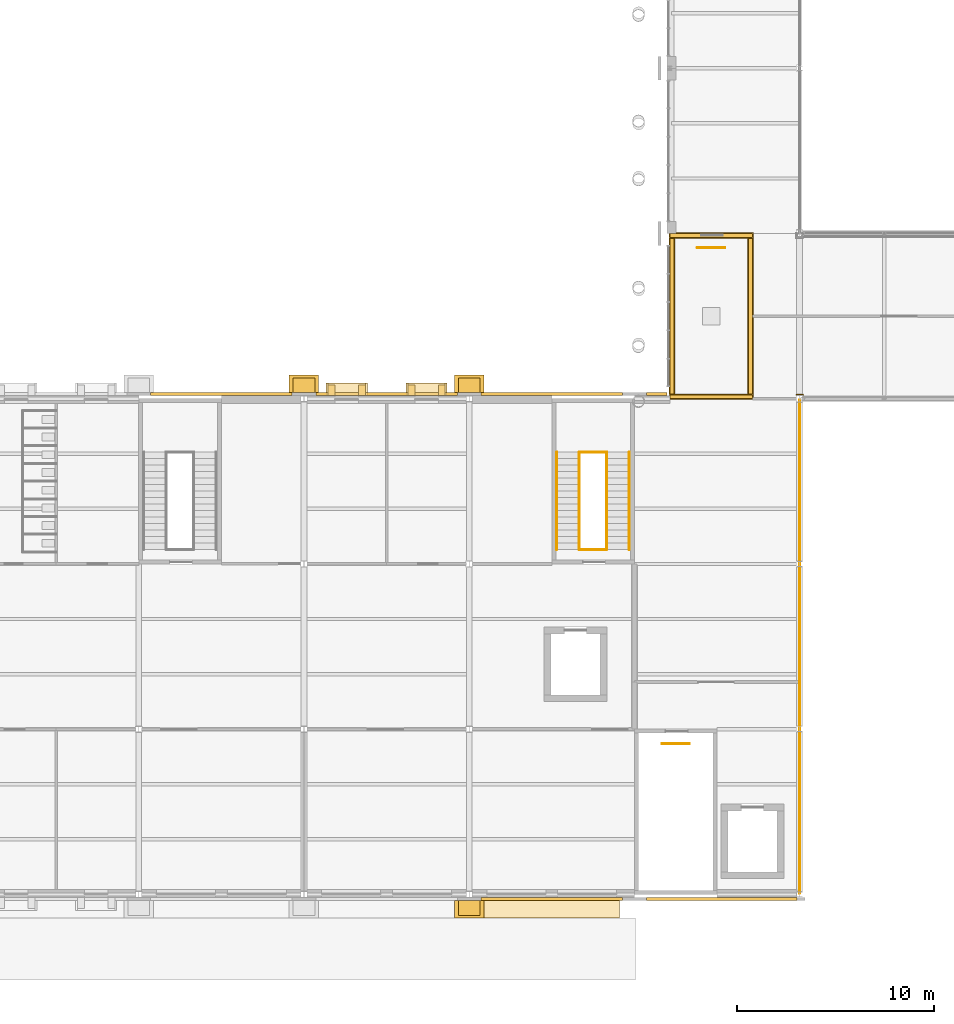
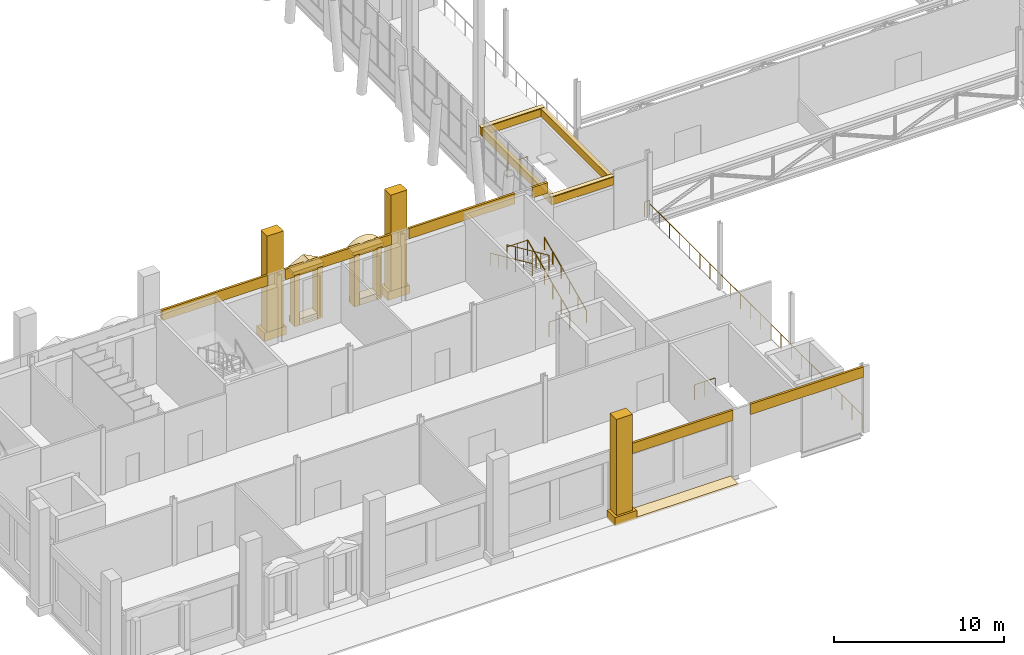
# One storey, part 61 of 76: 31 coverings, 10 railings.
"""IFC4 building model written with IfcOpenShell, lengths in metres."""

from ifc_helpers import new_model, si_unit, direction, frame, origin, origin_2d, place, context, subcontext, project, spatial, polyline, rectangle, circle, outline, extrude, material, layer, layer_set, type_object, element, save


model = new_model("IFC4")

# Units and contexts
model_context = context("Model", 3, precision=1e-05, world=origin(), true_north=direction((0.0, 1.0)))
body_context = subcontext(model_context, "Body", "Model", "MODEL_VIEW")
ifc_project = project(units=[si_unit("LENGTHUNIT", "METRE"), si_unit("AREAUNIT", "SQUARE_METRE"), si_unit("VOLUMEUNIT", "CUBIC_METRE"), si_unit("PLANEANGLEUNIT", "RADIAN"), si_unit("MASSUNIT", "GRAM", prefix="KILO")], contexts=[model_context])

# Site, building, storey
site_placement = place(None, origin())
site = spatial("IfcSite", under=ifc_project, at=site_placement, CompositionType="ELEMENT")
building_placement = place(site_placement, origin())
building = spatial("IfcBuilding", under=site, at=building_placement, Name="Sava Quay Ferry Terminal", CompositionType="ELEMENT")
storey_placement = place(building_placement, frame((0.0, 0.0, 6.0)))
storey = spatial("IfcBuildingStorey", under=building, at=storey_placement, Name="L01", CompositionType="ELEMENT", Elevation=6.0)

# Coverings
ifc_material_1 = material(Name="Standing-seam lead roofing")
ifc_layer_1 = layer(ifc_material_1, 0.1201171875)
ifc_layer_set_1 = layer_set([ifc_layer_1], Name="Standing-seam lead roofing")
covering_type_1 = type_object("IfcCoveringType", Name="Arcade roof covering 120", PredefinedType="ROOFING", material=ifc_layer_set_1)
covering_1_placement = place(storey_placement, frame((37.800048828125, 24.43994140625, 0.0), z_axis=(0.0, 0.0, 1.0), x_axis=(1.0, 0.0, 0.0)))
element("IfcCovering", 1, at=covering_1_placement, inside=storey, type_object=covering_type_1, Name="Arcade roof covering", PredefinedType="ROOFING", context=body_context, shape_type="SweptSolid", body=[
    extrude(rectangle(XDim=6.89990234375, YDim=0.89990234375, at=origin_2d()), origin(), (0.0, 0.0, 1.0), 0.1201171875),
])
ifc_material_2 = material(Name="Limestone Mutalj", Category="masonry")
ifc_layer_2 = layer(ifc_material_2, 0.89990234375)
ifc_layer_set_2 = layer_set([ifc_layer_2], Name="Limestone Mutalj")
covering_type_2 = type_object("IfcCoveringType", Name="Giant-order pilaster base 1500", PredefinedType="MOLDING", material=ifc_layer_set_2)
for number, where, z_axis, x_axis, name in (
    (2, (25.199951171875, 51.159912109375, 0.0), (0.0, 0.0, 1.0), (1.0, 0.0, 0.0), "Giant-order pilaster base"),
    (3, (33.60009765625, 51.159912109375, 0.0), (0.0, 0.0, 1.0), (1.0, 0.0, 0.0), "Giant-order pilaster base"),
    (4, (33.60009765625, 24.43994140625, 0.0), (0.0, 0.0, 1.0), (1.0, 0.0, 0.0), "Giant-order pilaster base"),
):
    element("IfcCovering", number, at=place(storey_placement, frame(where, z_axis=z_axis, x_axis=x_axis)), inside=storey, type_object=covering_type_2, Name=name, PredefinedType="MOLDING", context=body_context, shape_type="SweptSolid", body=[
        extrude(rectangle(XDim=1.5, YDim=0.89990234375, at=origin_2d()), origin(), (0.0, 0.0, 1.0), 0.60009765625),
    ])
ifc_material_3 = material(Name="Limestone Mutalj", Category="masonry")
ifc_layer_3 = layer(ifc_material_3, 0.75)
ifc_layer_set_3 = layer_set([ifc_layer_3], Name="Limestone Mutalj")
covering_type_3 = type_object("IfcCoveringType", Name="Giant-order pilaster shaft 1100", PredefinedType="CLADDING", material=ifc_layer_set_3)
for number, where, z_axis, x_axis, name in (
    (5, (25.199951171875, 51.0849609375, 0.60009765625), (0.0, 0.0, 1.0), (1.0, 0.0, 0.0), "Giant-order pilaster"),
    (6, (33.60009765625, 51.0849609375, 0.60009765625), (0.0, 0.0, 1.0), (1.0, 0.0, 0.0), "Giant-order pilaster"),
    (7, (33.60009765625, 24.514892578125, 0.60009765625), (0.0, 0.0, 1.0), (1.0, 0.0, 0.0), "Giant-order pilaster"),
):
    element("IfcCovering", number, at=place(storey_placement, frame(where, z_axis=z_axis, x_axis=x_axis)), inside=storey, type_object=covering_type_3, Name=name, PredefinedType="CLADDING", context=body_context, shape_type="SweptSolid", body=[
        extrude(rectangle(XDim=1.10009765625, YDim=0.75, at=origin_2d()), origin(), (0.0, 0.0, 1.0), 6.89990234375),
    ])

# Railings
ifc_material_4 = material(Name="Steel S355", Category="steel")
railing_type_1 = type_object("IfcRailingType", Name="Guard 1100", PredefinedType="GUARDRAIL", material=ifc_material_4)
for number, where, name in (
    (8, (43.39990234375, 32.8701171875, 0.0), "Guard at stair well ST-A1 L01"),
    (9, (39.199951171875, 42.72998046875, 0.0), "Guard at stair well ST-W2 L01"),
):
    element("IfcRailing", number, at=place(storey_placement, frame(where)), inside=storey, type_object=railing_type_1, Name=name, PredefinedType="GUARDRAIL", context=body_context, shape_type="SweptSolid", body=[
        extrude(circle(Radius=0.02392578125, at=origin_2d()), frame((0.0, 0.0, 1.076171875), z_axis=(1.0, 0.0, 0.0), x_axis=(0.0, 1.0, 0.0)), (0.0, 0.0, 1.0), 1.400146484375),
        extrude(circle(Radius=0.02099609375, at=origin_2d()), origin(), (0.0, 0.0, 1.0), 1.052001953125),
        extrude(circle(Radius=0.02099609375, at=origin_2d()), frame((0.7001953125, 0.0, 0.0)), (0.0, 0.0, 1.0), 1.052001953125),
        extrude(circle(Radius=0.02099609375, at=origin_2d()), frame((1.400146484375, 0.0, 0.0)), (0.0, 0.0, 1.0), 1.052001953125),
    ])
railing_1_placement = place(storey_placement, frame((40.60009765625, 42.72998046875, 0.14990234375)))
element("IfcRailing", 10, at=railing_1_placement, inside=storey, type_object=railing_type_1, Name="Guard at stair well ST-W2 L01", PredefinedType="GUARDRAIL", context=body_context, shape_type="SweptSolid", body=[
    extrude(circle(Radius=0.02392578125, at=origin_2d()), frame((0.0, 0.0, 1.076171875), z_axis=(0.0, 0.910364939756, 0.41380632724), x_axis=(-1.0, 0.0, 0.0)), (0.0, 0.0, 1.0), 5.437255859375),
    extrude(circle(Radius=0.02099609375, at=origin_2d()), origin(), (0.0, 0.0, 1.0), 1.052001953125),
    extrude(circle(Radius=0.02099609375, at=origin_2d()), frame((0.0, 0.989990234375, 0.449951171875)), (0.0, 0.0, 1.0), 1.052001953125),
    extrude(circle(Radius=0.02099609375, at=origin_2d()), frame((0.0, 1.97998046875, 0.89990234375)), (0.0, 0.0, 1.0), 1.052001953125),
    extrude(circle(Radius=0.02099609375, at=origin_2d()), frame((0.0, 2.969970703125, 1.35009765625)), (0.0, 0.0, 1.0), 1.052001953125),
    extrude(circle(Radius=0.02099609375, at=origin_2d()), frame((0.0, 3.9599609375, 1.800048828125)), (0.0, 0.0, 1.0), 1.052001953125),
    extrude(circle(Radius=0.02099609375, at=origin_2d()), frame((0.0, 4.949951171875, 2.25)), (0.0, 0.0, 1.0), 1.052001953125),
])
railing_2_placement = place(storey_placement, frame((39.199951171875, 47.679931640625, 2.550048828125)))
element("IfcRailing", 11, at=railing_2_placement, inside=storey, type_object=railing_type_1, Name="Guard at stair well ST-W2 L01", PredefinedType="GUARDRAIL", context=body_context, shape_type="SweptSolid", body=[
    extrude(circle(Radius=0.02392578125, at=origin_2d()), frame((0.0, 0.0, 1.076171875), z_axis=(0.0, -0.910364939756, 0.41380632724), x_axis=(1.0, 0.0, 0.0)), (0.0, 0.0, 1.0), 5.437255859375),
    extrude(circle(Radius=0.02099609375, at=origin_2d()), origin(), (0.0, 0.0, 1.0), 1.052001953125),
    extrude(circle(Radius=0.02099609375, at=origin_2d()), frame((0.0, -0.989990234375, 0.449951171875)), (0.0, 0.0, 1.0), 1.052001953125),
    extrude(circle(Radius=0.02099609375, at=origin_2d()), frame((0.0, -1.97998046875, 0.89990234375)), (0.0, 0.0, 1.0), 1.052001953125),
    extrude(circle(Radius=0.02099609375, at=origin_2d()), frame((0.0, -2.969970703125, 1.35009765625)), (0.0, 0.0, 1.0), 1.052001953125),
    extrude(circle(Radius=0.02099609375, at=origin_2d()), frame((0.0, -3.9599609375, 1.800048828125)), (0.0, 0.0, 1.0), 1.052001953125),
    extrude(circle(Radius=0.02099609375, at=origin_2d()), frame((0.0, -4.949951171875, 2.25)), (0.0, 0.0, 1.0), 1.052001953125),
])
for number, where, name in (
    (12, (39.199951171875, 47.679931640625, 2.39990234375), "Guard at half landing ST-W2 L01"),
    (13, (45.199951171875, 58.070068359375, 0.0), "Guard at stair well ST-D1 L01"),
):
    element("IfcRailing", number, at=place(storey_placement, frame(where)), inside=storey, type_object=railing_type_1, Name=name, PredefinedType="GUARDRAIL", context=body_context, shape_type="SweptSolid", body=[
        extrude(circle(Radius=0.02392578125, at=origin_2d()), frame((0.0, 0.0, 1.076171875), z_axis=(1.0, 0.0, 0.0), x_axis=(0.0, 1.0, 0.0)), (0.0, 0.0, 1.0), 1.400146484375),
        extrude(circle(Radius=0.02099609375, at=origin_2d()), origin(), (0.0, 0.0, 1.0), 1.052001953125),
        extrude(circle(Radius=0.02099609375, at=origin_2d()), frame((0.7001953125, 0.0, 0.0)), (0.0, 0.0, 1.0), 1.052001953125),
        extrude(circle(Radius=0.02099609375, at=origin_2d()), frame((1.400146484375, 0.0, 0.0)), (0.0, 0.0, 1.0), 1.052001953125),
    ])
railing_3_placement = place(storey_placement, frame((50.39990234375, 25.260009765625, 0.0)))
element("IfcRailing", 14, at=railing_3_placement, inside=storey, type_object=railing_type_1, Name="Mezzanine guard", PredefinedType="GUARDRAIL", context=body_context, shape_type="SweptSolid", body=[
    extrude(circle(Radius=0.02392578125, at=origin_2d()), frame((0.0, 0.0, 1.076171875), z_axis=(0.0, 1.0, 0.0), x_axis=(-1.0, 0.0, 0.0)), (0.0, 0.0, 1.0), 25.080078125),
    extrude(circle(Radius=0.02099609375, at=origin_2d()), origin(), (0.0, 0.0, 1.0), 1.052001953125),
    extrude(circle(Radius=0.02099609375, at=origin_2d()), frame((0.0, 1.1943359375, 0.0)), (0.0, 0.0, 1.0), 1.052001953125),
    extrude(circle(Radius=0.02099609375, at=origin_2d()), frame((0.0, 2.388671875, 0.0)), (0.0, 0.0, 1.0), 1.052001953125),
    extrude(circle(Radius=0.02099609375, at=origin_2d()), frame((0.0, 3.582763671875, 0.0)), (0.0, 0.0, 1.0), 1.052001953125),
    extrude(circle(Radius=0.02099609375, at=origin_2d()), frame((0.0, 4.777099609375, 0.0)), (0.0, 0.0, 1.0), 1.052001953125),
    extrude(circle(Radius=0.02099609375, at=origin_2d()), frame((0.0, 5.971435546875, 0.0)), (0.0, 0.0, 1.0), 1.052001953125),
    extrude(circle(Radius=0.02099609375, at=origin_2d()), frame((0.0, 7.165771484375, 0.0)), (0.0, 0.0, 1.0), 1.052001953125),
    extrude(circle(Radius=0.02099609375, at=origin_2d()), frame((0.0, 8.360107421875, 0.0)), (0.0, 0.0, 1.0), 1.052001953125),
    extrude(circle(Radius=0.02099609375, at=origin_2d()), frame((0.0, 9.55419921875, 0.0)), (0.0, 0.0, 1.0), 1.052001953125),
    extrude(circle(Radius=0.02099609375, at=origin_2d()), frame((0.0, 10.74853515625, 0.0)), (0.0, 0.0, 1.0), 1.052001953125),
    extrude(circle(Radius=0.02099609375, at=origin_2d()), frame((0.0, 11.94287109375, 0.0)), (0.0, 0.0, 1.0), 1.052001953125),
    extrude(circle(Radius=0.02099609375, at=origin_2d()), frame((0.0, 13.13720703125, 0.0)), (0.0, 0.0, 1.0), 1.052001953125),
    extrude(circle(Radius=0.02099609375, at=origin_2d()), frame((0.0, 14.33154296875, 0.0)), (0.0, 0.0, 1.0), 1.052001953125),
    extrude(circle(Radius=0.02099609375, at=origin_2d()), frame((0.0, 15.52587890625, 0.0)), (0.0, 0.0, 1.0), 1.052001953125),
    extrude(circle(Radius=0.02099609375, at=origin_2d()), frame((0.0, 16.719970703125, 0.0)), (0.0, 0.0, 1.0), 1.052001953125),
    extrude(circle(Radius=0.02099609375, at=origin_2d()), frame((0.0, 17.914306640625, 0.0)), (0.0, 0.0, 1.0), 1.052001953125),
    extrude(circle(Radius=0.02099609375, at=origin_2d()), frame((0.0, 19.108642578125, 0.0)), (0.0, 0.0, 1.0), 1.052001953125),
    extrude(circle(Radius=0.02099609375, at=origin_2d()), frame((0.0, 20.302978515625, 0.0)), (0.0, 0.0, 1.0), 1.052001953125),
    extrude(circle(Radius=0.02099609375, at=origin_2d()), frame((0.0, 21.497314453125, 0.0)), (0.0, 0.0, 1.0), 1.052001953125),
    extrude(circle(Radius=0.02099609375, at=origin_2d()), frame((0.0, 22.69140625, 0.0)), (0.0, 0.0, 1.0), 1.052001953125),
    extrude(circle(Radius=0.02099609375, at=origin_2d()), frame((0.0, 23.8857421875, 0.0)), (0.0, 0.0, 1.0), 1.052001953125),
    extrude(circle(Radius=0.02099609375, at=origin_2d()), frame((0.0, 25.080078125, 0.0)), (0.0, 0.0, 1.0), 1.052001953125),
])
railing_4_placement = place(storey_placement, frame((50.56005859375, 50.570068359375, 0.0)))
element("IfcRailing", 15, at=railing_4_placement, inside=storey, type_object=railing_type_1, Name="Mezzanine guard", PredefinedType="GUARDRAIL", context=body_context, shape_type="SweptSolid", body=[
    extrude(circle(Radius=0.02392578125, at=origin_2d()), frame((0.0, 0.0, 1.076171875), z_axis=(0.0, 1.0, 0.0), x_axis=(-1.0, 0.0, 0.0)), (0.0, 0.0, 1.0), 0.0400390625),
    extrude(circle(Radius=0.02392578125, at=origin_2d()), frame((0.0, 0.0400390625, 1.076171875), z_axis=(-1.0, 0.0, 0.0), x_axis=(0.0, -1.0, 0.0)), (0.0, 0.0, 1.0), 0.320068359375),
    extrude(circle(Radius=0.02099609375, at=origin_2d()), origin(), (0.0, 0.0, 1.0), 1.052001953125),
    extrude(circle(Radius=0.02099609375, at=origin_2d()), frame((0.0, 0.0400390625, 0.0)), (0.0, 0.0, 1.0), 1.052001953125),
    extrude(circle(Radius=0.02099609375, at=origin_2d()), frame((-0.320068359375, 0.0400390625, 0.0)), (0.0, 0.0, 1.0), 1.052001953125),
])

# Coverings
ifc_material_5 = material(Name="Limestone Mutalj", Category="masonry")
ifc_layer_4 = layer(ifc_material_5, 0.14990234375)
ifc_layer_set_4 = layer_set([ifc_layer_4], Name="Limestone Mutalj")
covering_type_4 = type_object("IfcCoveringType", Name="Limestone string course 150", PredefinedType="CLADDING", material=ifc_layer_set_4)
covering_2_placement = place(storey_placement, frame((0.0, 0.0, 4.050048828125)))
element("IfcCovering", 16, at=covering_2_placement, inside=storey, type_object=covering_type_4, Name="String course W-S", PredefinedType="CLADDING", context=body_context, shape_type="SweptSolid", body=[
    extrude(outline(polyline([(34.199951171875, 25.0400390625), (41.39990234375, 25.0400390625), (41.39990234375, 24.889892578125), (34.199951171875, 24.889892578125), (34.199951171875, 25.0400390625)])), origin(), (0.0, 0.0, 1.0), 0.75),
])
covering_3_placement = place(storey_placement, frame((0.0, 0.0, 4.050048828125)))
element("IfcCovering", 17, at=covering_3_placement, inside=storey, type_object=covering_type_4, Name="String course W-S", PredefinedType="CLADDING", context=body_context, shape_type="SweptSolid", body=[
    extrude(outline(polyline([(42.60009765625, 25.0400390625), (50.27001953125, 25.0400390625), (50.27001953125, 24.889892578125), (42.60009765625, 24.889892578125), (42.60009765625, 25.0400390625)])), origin(), (0.0, 0.0, 1.0), 0.75),
])
covering_4_placement = place(storey_placement, frame((0.0, 0.0, 4.050048828125)))
element("IfcCovering", 18, at=covering_4_placement, inside=storey, type_object=covering_type_4, Name="String course W-N", PredefinedType="CLADDING", context=body_context, shape_type="SweptSolid", body=[
    extrude(outline(polyline([(17.39990234375, 50.56005859375), (24.60009765625, 50.56005859375), (24.60009765625, 50.7099609375), (17.39990234375, 50.7099609375), (17.39990234375, 50.56005859375)])), origin(), (0.0, 0.0, 1.0), 0.75),
])
covering_5_placement = place(storey_placement, frame((0.0, 0.0, 4.050048828125)))
element("IfcCovering", 19, at=covering_5_placement, inside=storey, type_object=covering_type_4, Name="String course W-N", PredefinedType="CLADDING", context=body_context, shape_type="SweptSolid", body=[
    extrude(outline(polyline([(25.800048828125, 50.56005859375), (33.0, 50.56005859375), (33.0, 50.7099609375), (25.800048828125, 50.7099609375), (25.800048828125, 50.56005859375)])), origin(), (0.0, 0.0, 1.0), 0.75),
])
covering_6_placement = place(storey_placement, frame((0.0, 0.0, 4.050048828125)))
element("IfcCovering", 20, at=covering_6_placement, inside=storey, type_object=covering_type_4, Name="String course W-N", PredefinedType="CLADDING", context=body_context, shape_type="SweptSolid", body=[
    extrude(outline(polyline([(34.199951171875, 50.56005859375), (41.39990234375, 50.56005859375), (41.39990234375, 50.7099609375), (34.199951171875, 50.7099609375), (34.199951171875, 50.56005859375)])), origin(), (0.0, 0.0, 1.0), 0.75),
])
covering_7_placement = place(storey_placement, frame((0.0, 0.0, 4.050048828125)))
element("IfcCovering", 21, at=covering_7_placement, inside=storey, type_object=covering_type_4, Name="String course W-N", PredefinedType="CLADDING", context=body_context, shape_type="SweptSolid", body=[
    extrude(outline(polyline([(42.60009765625, 50.56005859375), (43.64990234375, 50.56005859375), (43.64990234375, 50.7099609375), (42.60009765625, 50.7099609375), (42.60009765625, 50.56005859375)])), origin(), (0.0, 0.0, 1.0), 0.75),
])
ifc_material_6 = material(Name="Limestone Mutalj", Category="masonry")
ifc_layer_5 = layer(ifc_material_6, 0.050048828125)
ifc_layer_set_5 = layer_set([ifc_layer_5], Name="Limestone Mutalj")
covering_type_5 = type_object("IfcCoveringType", Name="Overrun coping 300", PredefinedType="MOLDING", material=ifc_layer_set_5)
for number, where, z_axis, x_axis, name in (
    (22, (45.89990234375, 50.5, 3.7998046875), (0.0, 0.0, 1.0), (1.0, 0.0, 0.0), "Overrun coping ST-D1 S"),
    (23, (45.89990234375, 58.699951171875, 3.7998046875), (0.0, 0.0, 1.0), (1.0, 0.0, 0.0), "Overrun coping ST-D1 N"),
):
    element("IfcCovering", number, at=place(storey_placement, frame(where, z_axis=z_axis, x_axis=x_axis)), inside=storey, type_object=covering_type_5, Name=name, PredefinedType="MOLDING", context=body_context, shape_type="SweptSolid", body=[
        extrude(rectangle(XDim=4.300048828125, YDim=0.300048828125, at=origin_2d()), origin(), (0.0, 0.0, 1.0), 0.050048828125),
    ])
for number, where, z_axis, x_axis, name in (
    (24, (43.89990234375, 54.60009765625, 3.7998046875), (0.0, 0.0, 1.0), (1.0, 0.0, 0.0), "Overrun coping ST-D1 W"),
    (25, (47.89990234375, 54.60009765625, 3.7998046875), (0.0, 0.0, 1.0), (1.0, 0.0, 0.0), "Overrun coping ST-D1 E"),
):
    element("IfcCovering", number, at=place(storey_placement, frame(where, z_axis=z_axis, x_axis=x_axis)), inside=storey, type_object=covering_type_5, Name=name, PredefinedType="MOLDING", context=body_context, shape_type="SweptSolid", body=[
        extrude(rectangle(XDim=0.300048828125, YDim=7.89990234375, at=origin_2d()), origin(), (0.0, 0.0, 1.0), 0.050048828125),
    ])
ifc_material_7 = material(Name="Limestone Mutalj", Category="masonry")
ifc_layer_6 = layer(ifc_material_7, 0.199951171875)
ifc_layer_set_6 = layer_set([ifc_layer_6], Name="Limestone Mutalj")
covering_type_6 = type_object("IfcCoveringType", Name="Overrun parapet 200", PredefinedType="MOLDING", material=ifc_layer_set_6)
for number, where, z_axis, x_axis, name in (
    (26, (45.89990234375, 50.5, 3.199951171875), (0.0, 0.0, 1.0), (1.0, 0.0, 0.0), "Overrun parapet ST-D1 S"),
    (27, (45.89990234375, 58.699951171875, 3.199951171875), (0.0, 0.0, 1.0), (1.0, 0.0, 0.0), "Overrun parapet ST-D1 N"),
):
    element("IfcCovering", number, at=place(storey_placement, frame(where, z_axis=z_axis, x_axis=x_axis)), inside=storey, type_object=covering_type_6, Name=name, PredefinedType="MOLDING", context=body_context, shape_type="SweptSolid", body=[
        extrude(rectangle(XDim=4.199951171875, YDim=0.199951171875, at=origin_2d()), origin(), (0.0, 0.0, 1.0), 0.60009765625),
    ])
for number, where, z_axis, x_axis, name in (
    (28, (43.89990234375, 54.60009765625, 3.199951171875), (0.0, 0.0, 1.0), (1.0, 0.0, 0.0), "Overrun parapet ST-D1 W"),
    (29, (47.89990234375, 54.60009765625, 3.199951171875), (0.0, 0.0, 1.0), (1.0, 0.0, 0.0), "Overrun parapet ST-D1 E"),
):
    element("IfcCovering", number, at=place(storey_placement, frame(where, z_axis=z_axis, x_axis=x_axis)), inside=storey, type_object=covering_type_6, Name=name, PredefinedType="MOLDING", context=body_context, shape_type="SweptSolid", body=[
        extrude(rectangle(XDim=0.199951171875, YDim=8.0, at=origin_2d()), origin(), (0.0, 0.0, 1.0), 0.60009765625),
    ])
ifc_material_8 = material(Name="Limestone Mutalj", Category="masonry")
ifc_layer_7 = layer(ifc_material_8, 0.64990234375)
ifc_layer_set_7 = layer_set([ifc_layer_7], Name="Limestone Mutalj")
covering_type_7 = type_object("IfcCoveringType", Name="Segmental window head 500", PredefinedType="MOLDING", material=ifc_layer_set_7)
covering_8_placement = place(storey_placement, frame((30.38134765625, 51.2099609375, 4.39990234375), z_axis=(0.0, 1.0, 0.0), x_axis=(0.71122974715, 0.0, 0.702959633811)))
element("IfcCovering", 30, at=covering_8_placement, inside=storey, type_object=covering_type_7, Name="Segmental window head", PredefinedType="MOLDING", context=body_context, shape_type="SweptSolid", body=[
    extrude(outline(polyline([(0.0, 0.0), (0.29520831818581716, 0.0), (0.5408181661149173, 0.05018198167150195), (0.752447055183014, 0.1347446981906073), (0.9373030675727445, 0.24639526640782444), (1.0983057794286726, 0.38252706612769555), (1.2361376366269134, 0.5417550148915962), (1.3499425532163642, 0.7252925741538023), (1.4369745931274485, 0.93591798511412), (1.4900256741775295, 1.1809241309220415), (1.4934782849708934, 1.4761122584014645), (0.0, 0.0)])), origin(), (0.0, 0.0, -1.0), 0.64990234375),
])

# Railings
ifc_material_9 = material(Name="Steel S355", Category="steel")
railing_type_2 = type_object("IfcRailingType", Name="Stair handrail 900", PredefinedType="HANDRAIL", material=ifc_material_9)
railing_5_placement = place(storey_placement, frame((41.739990234375, 42.72998046875, 0.14990234375)))
element("IfcRailing", 31, at=railing_5_placement, inside=storey, type_object=railing_type_2, Name="Handrail ST-W2 L01", PredefinedType="HANDRAIL", context=body_context, shape_type="SweptSolid", body=[
    extrude(circle(Radius=0.02392578125, at=origin_2d()), frame((0.0, 0.0, 0.8759765625), z_axis=(0.0, 0.910364939756, 0.41380632724), x_axis=(-1.0, 0.0, 0.0)), (0.0, 0.0, 1.0), 5.437255859375),
    extrude(circle(Radius=0.02099609375, at=origin_2d()), origin(), (0.0, 0.0, 1.0), 0.851806640625),
    extrude(circle(Radius=0.02099609375, at=origin_2d()), frame((0.0, 0.989990234375, 0.449951171875)), (0.0, 0.0, 1.0), 0.851806640625),
    extrude(circle(Radius=0.02099609375, at=origin_2d()), frame((0.0, 1.97998046875, 0.89990234375)), (0.0, 0.0, 1.0), 0.851806640625),
    extrude(circle(Radius=0.02099609375, at=origin_2d()), frame((0.0, 2.969970703125, 1.35009765625)), (0.0, 0.0, 1.0), 0.851806640625),
    extrude(circle(Radius=0.02099609375, at=origin_2d()), frame((0.0, 3.9599609375, 1.800048828125)), (0.0, 0.0, 1.0), 0.851806640625),
    extrude(circle(Radius=0.02099609375, at=origin_2d()), frame((0.0, 4.949951171875, 2.25)), (0.0, 0.0, 1.0), 0.851806640625),
])
railing_6_placement = place(storey_placement, frame((38.06005859375, 47.679931640625, 2.550048828125)))
element("IfcRailing", 32, at=railing_6_placement, inside=storey, type_object=railing_type_2, Name="Handrail ST-W2 L01", PredefinedType="HANDRAIL", context=body_context, shape_type="SweptSolid", body=[
    extrude(circle(Radius=0.02392578125, at=origin_2d()), frame((0.0, 0.0, 0.8759765625), z_axis=(0.0, -0.910364939756, 0.41380632724), x_axis=(1.0, 0.0, 0.0)), (0.0, 0.0, 1.0), 5.437255859375),
    extrude(circle(Radius=0.02099609375, at=origin_2d()), origin(), (0.0, 0.0, 1.0), 0.851806640625),
    extrude(circle(Radius=0.02099609375, at=origin_2d()), frame((0.0, -0.989990234375, 0.449951171875)), (0.0, 0.0, 1.0), 0.851806640625),
    extrude(circle(Radius=0.02099609375, at=origin_2d()), frame((0.0, -1.97998046875, 0.89990234375)), (0.0, 0.0, 1.0), 0.851806640625),
    extrude(circle(Radius=0.02099609375, at=origin_2d()), frame((0.0, -2.969970703125, 1.35009765625)), (0.0, 0.0, 1.0), 0.851806640625),
    extrude(circle(Radius=0.02099609375, at=origin_2d()), frame((0.0, -3.9599609375, 1.800048828125)), (0.0, 0.0, 1.0), 0.851806640625),
    extrude(circle(Radius=0.02099609375, at=origin_2d()), frame((0.0, -4.949951171875, 2.25)), (0.0, 0.0, 1.0), 0.851806640625),
])

# Coverings
ifc_material_10 = material(Name="Limestone Mutalj", Category="masonry")
ifc_layer_8 = layer(ifc_material_10, 0.64990234375)
ifc_layer_set_8 = layer_set([ifc_layer_8], Name="Limestone Mutalj")
covering_type_8 = type_object("IfcCoveringType", Name="Triangular window head 500", PredefinedType="MOLDING", material=ifc_layer_set_8)
covering_9_placement = place(storey_placement, frame((26.31884765625, 50.56005859375, 4.39990234375), z_axis=(0.0, -1.0, 0.0), x_axis=(1.0, 0.0, 0.0)))
element("IfcCovering", 33, at=covering_9_placement, inside=storey, type_object=covering_type_8, Name="Triangular window head", PredefinedType="MOLDING", context=body_context, shape_type="SweptSolid", body=[
    extrude(outline(polyline([(0.0, 0.0), (2.099853515625, 0.0), (1.050048828125, 0.550048828125), (0.0, 0.0)])), origin(), (0.0, 0.0, -1.0), 0.64990234375),
])
ifc_material_11 = material(Name="Limestone Mutalj", Category="masonry")
ifc_layer_9 = layer(ifc_material_11, 0.550048828125)
ifc_layer_set_9 = layer_set([ifc_layer_9], Name="Limestone Mutalj")
covering_type_9 = type_object("IfcCoveringType", Name="Window surround jamb 350", PredefinedType="MOLDING", material=ifc_layer_set_9)
for number, where, z_axis, x_axis, name in (
    (34, (26.59375, 50.8349609375, 0.4501953125), (0.0, 0.0, 1.0), (1.0, 0.0, 0.0), "Window surround jamb"),
    (35, (28.143798828125, 50.8349609375, 0.4501953125), (0.0, 0.0, 1.0), (1.0, 0.0, 0.0), "Window surround jamb"),
    (36, (30.65625, 50.8349609375, 0.4501953125), (0.0, 0.0, 1.0), (1.0, 0.0, 0.0), "Window surround jamb"),
    (37, (32.206298828125, 50.8349609375, 0.4501953125), (0.0, 0.0, 1.0), (1.0, 0.0, 0.0), "Window surround jamb"),
):
    element("IfcCovering", number, at=place(storey_placement, frame(where, z_axis=z_axis, x_axis=x_axis)), inside=storey, type_object=covering_type_9, Name=name, PredefinedType="MOLDING", context=body_context, shape_type="SweptSolid", body=[
        extrude(rectangle(XDim=0.35009765625, YDim=0.550048828125, at=origin_2d()), origin(), (0.0, 0.0, 1.0), 3.699951171875),
    ])
ifc_material_12 = material(Name="Limestone Mutalj", Category="masonry")
ifc_layer_10 = layer(ifc_material_12, 0.64990234375)
ifc_layer_set_10 = layer_set([ifc_layer_10], Name="Limestone Mutalj")
covering_type_10 = type_object("IfcCoveringType", Name="Window surround lintel 300", PredefinedType="MOLDING", material=ifc_layer_set_10)
for number, where, z_axis, x_axis, name in (
    (38, (27.368896484375, 50.885009765625, 4.14990234375), (0.0, 0.0, 1.0), (1.0, 0.0, 0.0), "Window surround lintel"),
    (39, (31.431396484375, 50.885009765625, 4.14990234375), (0.0, 0.0, 1.0), (1.0, 0.0, 0.0), "Window surround lintel"),
):
    element("IfcCovering", number, at=place(storey_placement, frame(where, z_axis=z_axis, x_axis=x_axis)), inside=storey, type_object=covering_type_10, Name=name, PredefinedType="MOLDING", context=body_context, shape_type="SweptSolid", body=[
        extrude(rectangle(XDim=2.10009765625, YDim=0.64990234375, at=origin_2d()), origin(), (0.0, 0.0, 1.0), 0.25),
    ])
ifc_material_13 = material(Name="Limestone Mutalj", Category="masonry")
ifc_layer_11 = layer(ifc_material_13, 0.64990234375)
ifc_layer_set_11 = layer_set([ifc_layer_11], Name="Limestone Mutalj")
covering_type_11 = type_object("IfcCoveringType", Name="Window surround sill 450", PredefinedType="MOLDING", material=ifc_layer_set_11)
for number, where, z_axis, x_axis, name in (
    (40, (27.368896484375, 50.885009765625, 0.4501953125), (0.0, 0.0, 1.0), (1.0, 0.0, 0.0), "Window surround sill"),
    (41, (31.431396484375, 50.885009765625, 0.4501953125), (0.0, 0.0, 1.0), (1.0, 0.0, 0.0), "Window surround sill"),
):
    element("IfcCovering", number, at=place(storey_placement, frame(where, z_axis=z_axis, x_axis=x_axis)), inside=storey, type_object=covering_type_11, Name=name, PredefinedType="MOLDING", context=body_context, shape_type="SweptSolid", body=[
        extrude(rectangle(XDim=1.89990234375, YDim=0.64990234375, at=origin_2d()), origin(), (0.0, 0.0, 1.0), 0.449951171875),
    ])

save(model, "model.ifc")
